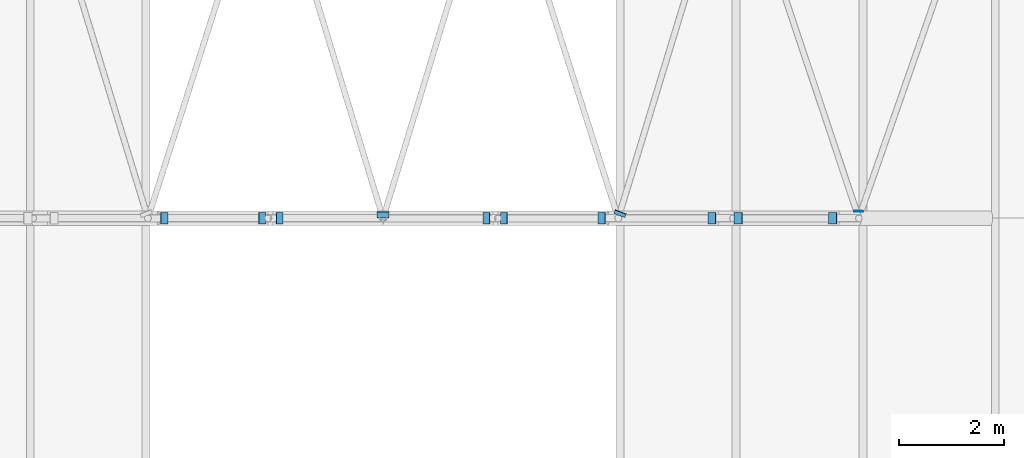
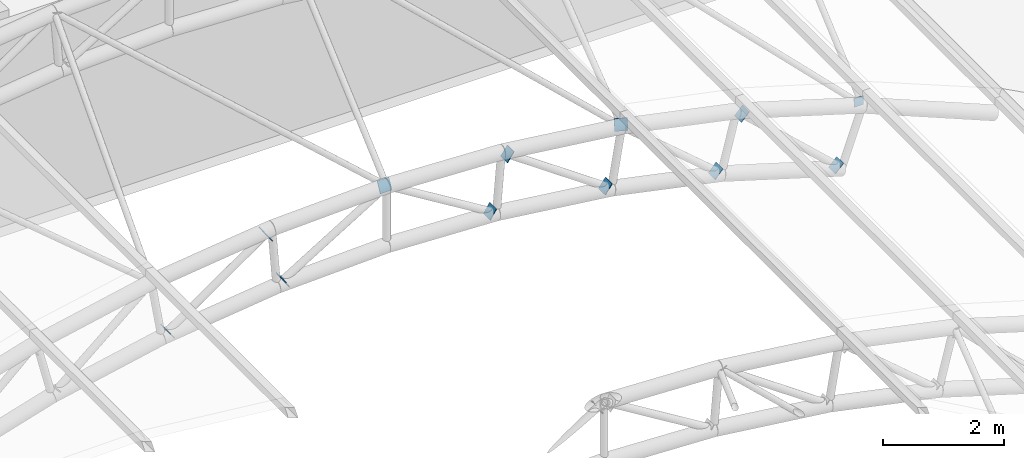
# One storey, part 74 of 92: 12 discrete accessories.
"""IFC4 building model written with IfcOpenShell, lengths in metres."""

from ifc_helpers import new_model, si_unit, direction, frame, origin, origin_2d, place, context, subcontext, project, spatial, rectangle, extrude, material, material_profile, profile_set, type_object, element, save


model = new_model("IFC4")

# Units and contexts
model_context = context("Model", 3, precision=1e-05, world=origin(), true_north=direction((0.0, 1.0)))
body_context = subcontext(model_context, "Body", "Model", "MODEL_VIEW")
ifc_project = project(units=[si_unit("LENGTHUNIT", "METRE"), si_unit("AREAUNIT", "SQUARE_METRE"), si_unit("VOLUMEUNIT", "CUBIC_METRE"), si_unit("PLANEANGLEUNIT", "RADIAN"), si_unit("MASSUNIT", "GRAM", prefix="KILO")], contexts=[model_context])

# Site, building, storey
site_placement = place(None, origin())
site = spatial("IfcSite", under=ifc_project, at=site_placement, CompositionType="ELEMENT")
building_placement = place(site_placement, origin())
building = spatial("IfcBuilding", under=site, at=building_placement, Name="Laocheng Heights Fire and Rescue Headquarters", CompositionType="ELEMENT")
storey_placement = place(building_placement, frame((0.0, 0.0, 12.60009765625)))
storey = spatial("IfcBuildingStorey", under=building, at=storey_placement, Name="L03", CompositionType="ELEMENT", Elevation=12.60009765625)

# Discrete accessories
ifc_material_1 = material(Name="Steel Q355B, dark grey painted", Category="steel")
ifc_material_profile_1 = material_profile(ifc_material_1, rectangle(XDim=0.22509765625, YDim=0.22509765625, at=origin_2d()), Name="GUSSET PLATE 225 x 225 x 12 FOR BAY ROOF DIAG CHS 139.7x6")
ifc_profile_set_1 = profile_set([ifc_material_profile_1], Name="Steel Q355B, dark grey painted")
discrete_accessory_type_1 = type_object("IfcDiscreteAccessoryType", Name="GUSSET PLATE 225 x 225 x 12 FOR BAY ROOF DIAG CHS 139.7x6", PredefinedType="BRACKET", material=ifc_profile_set_1)
for number, where, z_axis, x_axis, name in (
    (1, (31.809814453125, 14.39990234375, 2.719482421875), (0.809610443394, 0.0, 0.586967571461), (0.0, 1.0, 0.0), "End plate at TR3-DG07 end 1"),
    (2, (33.683349609375, 14.39990234375, 4.02734375), (0.819231920519, 0.0, 0.573462344363), (0.0, 1.0, 0.0), "End plate at TR3-DG07 end 2"),
    (3, (34.014404296875, 14.39990234375, 2.98486328125), (0.84450857845, 0.0, 0.535542025358), (0.0, 1.0, 0.0), "End plate at TR3-DG08 end 1"),
    (4, (37.985595703125, 14.39990234375, 2.98486328125), (-0.84450857845, 0.0, 0.535542025358), (0.0, -1.0, 0.0), "End plate at TR3-DG09 end 1"),
    (5, (40.190185546875, 14.39990234375, 2.719482421875), (-0.809610443394, 0.0, 0.586967571461), (0.0, -1.0, 0.0), "End plate at TR3-DG10 end 1"),
    (6, (38.316650390625, 14.39990234375, 4.02734375), (-0.819231920519, 0.0, 0.573462344363), (0.0, -1.0, 0.0), "End plate at TR3-DG10 end 2"),
    (7, (42.298095703125, 14.39990234375, 2.289794921875), (-0.756363172452, 0.0, 0.654151932932), (0.0, -1.0, 0.0), "End plate at TR3-DG11 end 1"),
):
    element("IfcDiscreteAccessory", number, at=place(storey_placement, frame(where, z_axis=z_axis, x_axis=x_axis)), inside=storey, type_object=discrete_accessory_type_1, Name=name, PredefinedType="BRACKET", context=body_context, shape_type="SweptSolid", body=[
        extrude(rectangle(XDim=0.22509765625, YDim=0.22509765625, at=origin_2d()), origin(), (0.0, 0.0, 1.0), 0.011962890625),
    ])
for number, where, z_axis, x_axis, name in (
    (8, (44.601806640625, 14.39990234375, 1.597900390625), (-0.72701315255, 0.0, 0.686623532964), (0.0, -1.0, 0.0), "End plate at TR3-DG12 end 1"),
    (9, (42.801025390625, 14.39990234375, 3.267578125), (-0.72701315255, 0.0, 0.686623532964), (0.0, -1.0, 0.0), "End plate at TR3-DG12 end 2"),
):
    element("IfcDiscreteAccessory", number, at=place(storey_placement, frame(where, z_axis=z_axis, x_axis=x_axis)), inside=storey, type_object=discrete_accessory_type_1, Name=name, PredefinedType="BRACKET", context=body_context, shape_type="SweptSolid", body=[
        extrude(rectangle(XDim=0.22509765625, YDim=0.22509765625, at=origin_2d()), origin(), (0.0, 0.0, 1.0), 0.01220703125),
    ])
ifc_material_2 = material(Name="Steel Q355B, dark grey painted", Category="steel")
ifc_material_profile_2 = material_profile(ifc_material_2, rectangle(XDim=0.175048828125, YDim=0.175048828125, at=origin_2d()), Name="NODE PLATE 175 x 175 x 12 FOR BAY ROOF BRACE CHS 114.3x5")
ifc_profile_set_2 = profile_set([ifc_material_profile_2], Name="Steel Q355B, dark grey painted")
discrete_accessory_type_2 = type_object("IfcDiscreteAccessoryType", Name="NODE PLATE 175 x 175 x 12 FOR BAY ROOF BRACE CHS 114.3x5", PredefinedType="BRACKET", material=ifc_profile_set_2)
discrete_accessory_placement = place(storey_placement, frame((45.1005859375, 14.525634765625, 2.63623046875), z_axis=(0.020399668712, 0.999583766891, -0.020399668712), x_axis=(-0.999791818463, 0.020403914663, 0.0)))
element("IfcDiscreteAccessory", 10, at=discrete_accessory_placement, inside=storey, type_object=discrete_accessory_type_2, Name="Node plate at BR28 end 1, BR29 end 1", PredefinedType="BRACKET", context=body_context, shape_type="SweptSolid", body=[
    extrude(rectangle(XDim=0.175048828125, YDim=0.175048828125, at=origin_2d()), origin(), (0.0, 0.0, 1.0), 0.011962890625),
])
ifc_material_3 = material(Name="Steel Q355B, dark grey painted", Category="steel")
ifc_material_profile_3 = material_profile(ifc_material_3, rectangle(XDim=0.22509765625, YDim=0.22509765625, at=origin_2d()), Name="NODE PLATE 225 x 225 x 12 FOR BAY ROOF BRACE CHS 114.3x5")
ifc_profile_set_3 = profile_set([ifc_material_profile_3], Name="Steel Q355B, dark grey painted")
discrete_accessory_type_3 = type_object("IfcDiscreteAccessoryType", Name="NODE PLATE 225 x 225 x 12 FOR BAY ROOF BRACE CHS 114.3x5", PredefinedType="BRACKET", material=ifc_profile_set_3)
for number, where, z_axis, x_axis, name in (
    (11, (36.0, 14.461669921875, 4.16552734375), (0.0, 0.873197702015, -0.487366159264), (-1.0, 0.0, 0.0), "Node plate at BR24 end 1, BR25 end 1, TR3-DG08 end 2, TR3-DG09 end 2"),
    (12, (40.53076171875, 14.483642578125, 3.79736328125), (0.343451865148, 0.888934239206, -0.303045763366), (-0.932798134406, 0.360399279202, 0.0), "Node plate at BR26 end 1, BR27 end 1, TR3-DG11 end 2"),
):
    element("IfcDiscreteAccessory", number, at=place(storey_placement, frame(where, z_axis=z_axis, x_axis=x_axis)), inside=storey, type_object=discrete_accessory_type_3, Name=name, PredefinedType="BRACKET", context=body_context, shape_type="SweptSolid", body=[
        extrude(rectangle(XDim=0.22509765625, YDim=0.22509765625, at=origin_2d()), origin(), (0.0, 0.0, 1.0), 0.011962890625),
    ])

save(model, "model.ifc")
